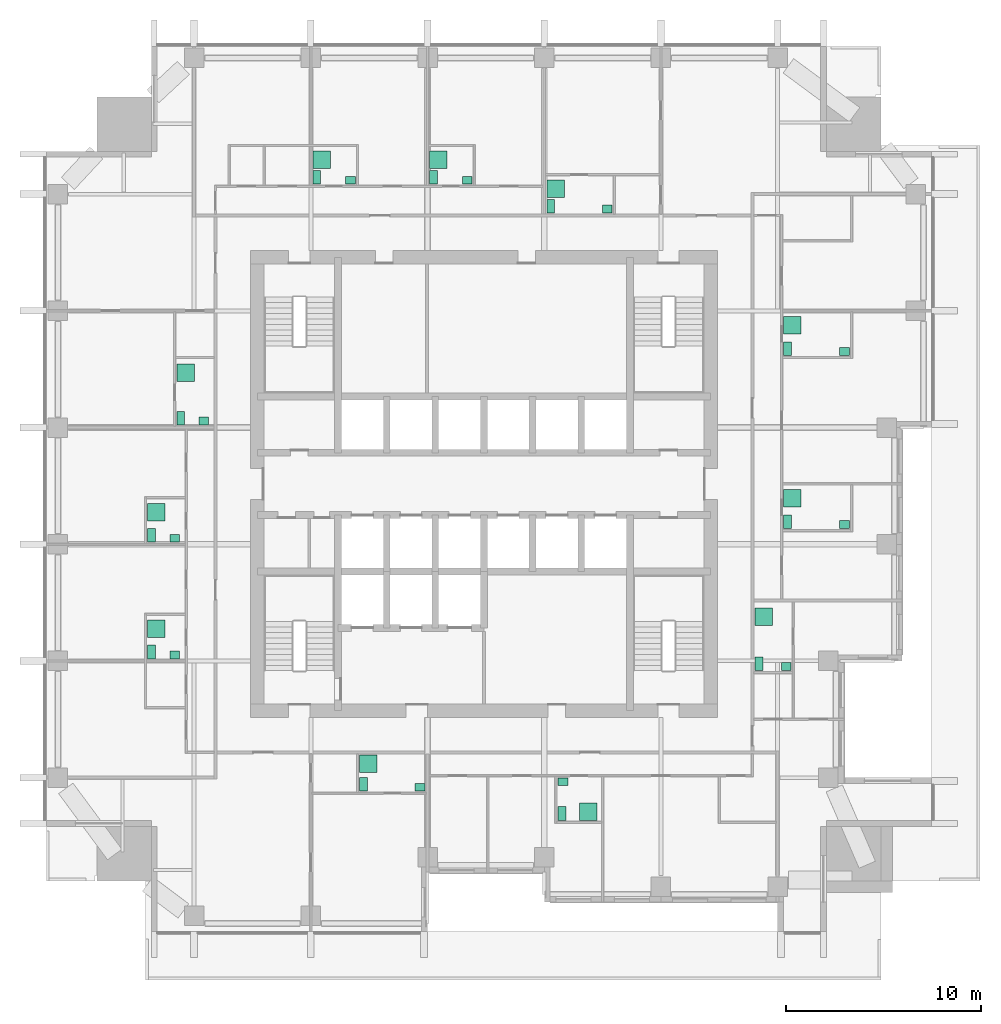
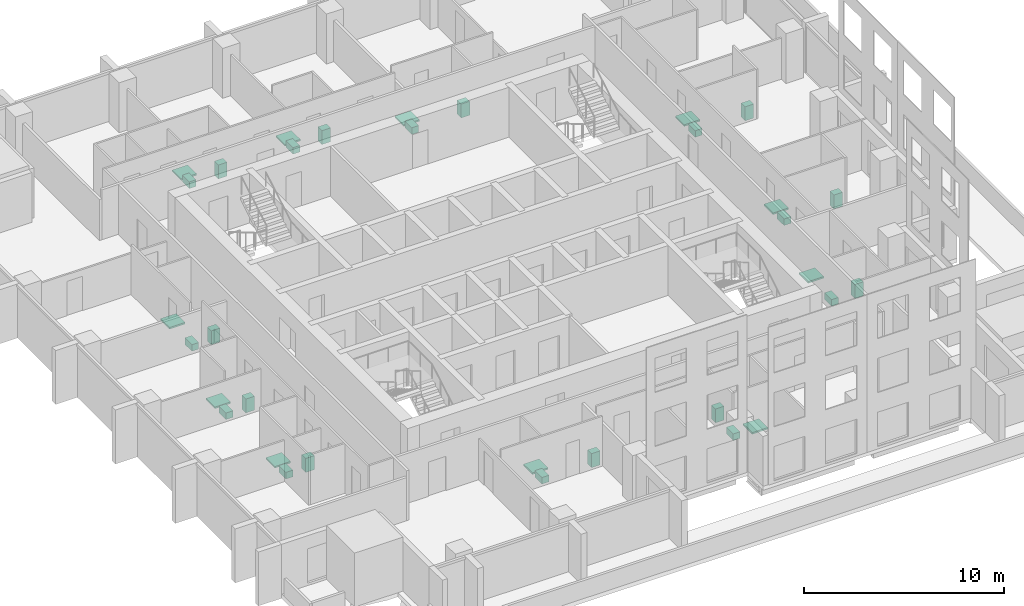
# One storey, part 14 of 14: 33 sanitary terminals.
"""IFC4 building model written with IfcOpenShell, lengths in metres."""

import ifcopenshell
import ifcopenshell.guid

model = None  # the IFC model being written
_history = None  # IfcOwnerHistory: only IFC2X3 demands one
_inside = {}  # id of a spatial element -> (the spatial element, [elements in it])
_under = {}  # id of a project, library or spatial element -> (it, [spatial elements below it])
_declared = {}  # id of a project -> (the project, [libraries it declares])
_typed = {}  # id of a type object -> (the type object, [elements of that type])
_made_of = {}  # id of a material, layer set ... -> (it, [elements and type objects made of it])


def new_model(schema):
    """Start an empty IFC model of exactly this schema.

    Asked for "IFC4X3", IfcOpenShell would pick the latest addendum, in which some entities
    have other attributes; the version numbers below select the first issue.
    IFC2X3 requires an IfcOwnerHistory on every rooted entity: one is made here for all.
    """
    global model, _history
    if schema == "IFC4X3":
        model = ifcopenshell.file(schema_version=(4, 3, 0, 0))
    else:
        model = ifcopenshell.file(schema=schema)
    _inside.clear()
    _under.clear()
    _declared.clear()
    _typed.clear()
    _made_of.clear()
    _history = None
    if model.schema == "IFC2X3":
        org = make("IfcOrganization", Name="unknown")
        user = make(
            "IfcPersonAndOrganization",
            ThePerson=make("IfcPerson", FamilyName="unknown"),
            TheOrganization=org,
        )
        app = make(
            "IfcApplication",
            ApplicationDeveloper=org,
            Version="unknown",
            ApplicationFullName="unknown",
            ApplicationIdentifier="unknown",
        )
        _history = make(
            "IfcOwnerHistory",
            OwningUser=user,
            OwningApplication=app,
            ChangeAction="ADDED",
            CreationDate=0,
        )
    return model


def make(cls, **values):
    """One entity of the class cls with the attributes given. An attribute that is None is left unset."""
    return model.create_entity(
        cls, **{name: value for name, value in values.items() if value is not None}
    )


def rooted(cls, **values):
    """An entity with a GlobalId (a new one), such as an element, a storey or a relation."""
    return make(cls, GlobalId=ifcopenshell.guid.new(), OwnerHistory=_history, **values)


def si_unit(unit_type, name, prefix=None):
    """IfcSIUnit, for example si_unit("LENGTHUNIT", "METRE", prefix="MILLI")."""
    return make("IfcSIUnit", UnitType=unit_type, Prefix=prefix, Name=name)


def assignment(units):
    """IfcUnitAssignment: the units of a project."""
    return None if units is None else make("IfcUnitAssignment", Units=units)


def point(xyz):
    """IfcCartesianPoint."""
    return None if xyz is None else make("IfcCartesianPoint", Coordinates=xyz)


def direction(xyz):
    """IfcDirection."""
    return None if xyz is None else make("IfcDirection", DirectionRatios=xyz)


def frame(location, z_axis=None, x_axis=None):
    """IfcAxis2Placement3D, a coordinate frame: its origin and axes. An axis left out is left unset."""
    return make(
        "IfcAxis2Placement3D",
        Location=point(location),
        Axis=direction(z_axis),
        RefDirection=direction(x_axis),
    )


def frame_2d(location, x_axis=None):
    """IfcAxis2Placement2D, a coordinate frame in the plane: its origin and x axis."""
    return make(
        "IfcAxis2Placement2D", Location=point(location), RefDirection=direction(x_axis)
    )


def origin():
    """The frame at (0, 0, 0) with its axes left unset."""
    return frame((0.0, 0.0, 0.0))


def origin_2d():
    """The frame at (0, 0) in the plane with its x axis left unset."""
    return frame_2d((0.0, 0.0))


def place(relative_to, where):
    """IfcLocalPlacement: puts the frame where relative to a parent placement (None: the world)."""
    return make(
        "IfcLocalPlacement", PlacementRelTo=relative_to, RelativePlacement=where
    )


def context(
    kind, dimensions, precision=None, world=None, true_north=None, identifier=None
):
    """IfcGeometricRepresentationContext, for example the 3D "Model" context."""
    return make(
        "IfcGeometricRepresentationContext",
        ContextIdentifier=identifier,
        ContextType=kind,
        CoordinateSpaceDimension=dimensions,
        Precision=precision,
        WorldCoordinateSystem=world,
        TrueNorth=true_north,
    )


def subcontext(parent, identifier, kind, view, scale=None):
    """IfcGeometricRepresentationSubContext, for example "Body" below "Model"."""
    return make(
        "IfcGeometricRepresentationSubContext",
        ContextIdentifier=identifier,
        ContextType=kind,
        ParentContext=parent,
        TargetScale=scale,
        TargetView=view,
    )


def project(units=None, contexts=None):
    """IfcProject with its units and contexts."""
    return rooted(
        "IfcProject",
        Name="project",
        RepresentationContexts=contexts,
        UnitsInContext=assignment(units),
    )


def spatial(cls, under=None, at=None, **own):
    """A site, building, storey or space (cls), placed at a placement, below another one or the project."""
    s = rooted(cls, ObjectPlacement=at, **own)
    if under is not None:
        _under.setdefault(under.id(), (under, []))[1].append(s)
    return s


def profile(cls, at=None, kind="AREA", **sizes):
    """A parametric profile (cls). Its sizes go by their IFC names, for example OverallWidth=200.0."""
    return make(cls, ProfileType=kind, Position=at, **sizes)


def rectangle(**sizes):
    """IfcRectangleProfileDef."""
    return profile("IfcRectangleProfileDef", **sizes)


def extrude(swept, where, along, depth):
    """IfcExtrudedAreaSolid: the profile swept, set in the frame where, extruded along a direction by depth."""
    return make(
        "IfcExtrudedAreaSolid",
        SweptArea=swept,
        Position=where,
        ExtrudedDirection=direction(along),
        Depth=depth,
    )


def shape(context_of_items, identifier, shape_type, items):
    """IfcShapeRepresentation: the items that make up one representation, for example the "Body"."""
    return make(
        "IfcShapeRepresentation",
        ContextOfItems=context_of_items,
        RepresentationIdentifier=identifier,
        RepresentationType=shape_type,
        Items=items,
    )


def made_of(thing, what):
    """Note that an element or type object is made of a material, layer set ...; save() writes the relation."""
    if what is not None:
        _made_of.setdefault(what.id(), (what, []))[1].append(thing)
    return thing


def element(
    cls,
    number,
    at=None,
    inside=None,
    cuts=None,
    type_object=None,
    material=None,
    context=None,
    identifier="Body",
    shape_type=None,
    held_by="IfcProductDefinitionShape",
    body=None,
    shapes=None,
    **own,
):
    """One element of the class cls, such as IfcWall. Its Tag is "e" and its number.

    at: its placement. inside: the storey or other place that contains it. cuts: it is an
    opening in that element (IfcRelVoidsElement). A single representation is given by context,
    identifier, shape_type and body (its items); several are given by shapes. held_by: the class
    of the entity that holds the representations. save() writes the other relations.
    """
    e = rooted(cls, Tag="e%d" % number, ObjectPlacement=at, **own)
    if body is not None:
        shapes = [shape(context, identifier, shape_type, body)]
    if shapes is not None:
        e.Representation = make(held_by, Representations=shapes)
    if inside is not None:
        _inside.setdefault(inside.id(), (inside, []))[1].append(e)
    if cuts is not None:
        rooted(
            "IfcRelVoidsElement", RelatingBuildingElement=cuts, RelatedOpeningElement=e
        )
    if type_object is not None:
        _typed.setdefault(type_object.id(), (type_object, []))[1].append(e)
    return made_of(e, material)


def aggregate(whole, parts):
    """IfcRelAggregates: a whole, such as a stair, and the parts it consists of."""
    return rooted("IfcRelAggregates", RelatingObject=whole, RelatedObjects=parts)


def save(model, path):
    """Write the relations noted so far, then the file.

    IfcRelAggregates (storeys below a building ...), IfcRelContainedInSpatialStructure (elements
    in a storey), IfcRelDefinesByType, IfcRelAssociatesMaterial and IfcRelDeclares: one each for
    every whole, place, type object, material and project.
    """
    for whole, parts in _under.values():
        aggregate(whole, parts)
    for where, things in _inside.values():
        rooted(
            "IfcRelContainedInSpatialStructure",
            RelatedElements=things,
            RelatingStructure=where,
        )
    for kind, things in _typed.values():
        rooted("IfcRelDefinesByType", RelatedObjects=things, RelatingType=kind)
    for what, things in _made_of.values():
        rooted("IfcRelAssociatesMaterial", RelatedObjects=things, RelatingMaterial=what)
    for by, libraries in _declared.values():
        rooted("IfcRelDeclares", RelatingContext=by, RelatedDefinitions=libraries)
    model.write(path)


model = new_model("IFC4")

# Units and contexts
model_context = context("Model", 3, precision=1e-05, world=origin(), true_north=direction((0.0, 1.0)))
body_context = subcontext(model_context, "Body", "Model", "MODEL_VIEW")
ifc_project = project(units=[si_unit("LENGTHUNIT", "METRE"), si_unit("AREAUNIT", "SQUARE_METRE"), si_unit("VOLUMEUNIT", "CUBIC_METRE"), si_unit("PLANEANGLEUNIT", "RADIAN"), si_unit("MASSUNIT", "GRAM", prefix="KILO")], contexts=[model_context])

# Site, building, storey
site_placement = place(None, origin())
site = spatial("IfcSite", under=ifc_project, at=site_placement, CompositionType="ELEMENT")
building_placement = place(site_placement, origin())
building = spatial("IfcBuilding", under=site, at=building_placement, Name="Amberfall Residences", CompositionType="ELEMENT")
storey_placement = place(building_placement, frame((0.0, 0.0, 133.89990234375)))
storey = spatial("IfcBuildingStorey", under=building, at=storey_placement, Name="L35", CompositionType="ELEMENT", Elevation=133.89990234375)

# Sanitary terminals
sanitary_terminal_1_placement = place(storey_placement, frame((68.31005859375, 30.06005859375, 0.000244140625), z_axis=(0.0, 0.0, 1.0), x_axis=(1.0, 0.0, 0.0)))
element("IfcSanitaryTerminal", 1, at=sanitary_terminal_1_placement, inside=storey, Name="Water closet 3501", PredefinedType="TOILETPAN", context=body_context, shape_type="SweptSolid", body=[
    extrude(rectangle(XDim=0.39990234375, YDim=0.699951171875, at=origin_2d()), origin(), (0.0, 0.0, 1.0), 0.39990234375),
])
sanitary_terminal_2_placement = place(storey_placement, frame((71.215087890625, 29.909912109375, 0.0), z_axis=(0.0, 0.0, 1.0), x_axis=(1.0, 0.0, 0.0)))
element("IfcSanitaryTerminal", 2, at=sanitary_terminal_2_placement, inside=storey, Name="Basin 3501", PredefinedType="WASHHANDBASIN", context=body_context, shape_type="SweptSolid", body=[
    extrude(rectangle(XDim=0.5, YDim=0.39990234375, at=origin_2d()), origin(), (0.0, 0.0, 1.0), 0.85009765625),
])
sanitary_terminal_3_placement = place(storey_placement, frame((68.56005859375, 31.114990234375, 0.0), z_axis=(0.0, 0.0, 1.0), x_axis=(1.0, 0.0, 0.0)))
element("IfcSanitaryTerminal", 3, at=sanitary_terminal_3_placement, inside=storey, Name="Shower tray 3501", PredefinedType="SHOWER", context=body_context, shape_type="SweptSolid", body=[
    extrude(rectangle(XDim=0.89990234375, YDim=0.89990234375, at=origin_2d()), origin(), (0.0, 0.0, 1.0), 0.10009765625),
])
sanitary_terminal_4_placement = place(storey_placement, frame((78.510009765625, 28.56005859375, 0.000244140625), z_axis=(0.0, 0.0, 1.0), x_axis=(1.0, 0.0, 0.0)))
element("IfcSanitaryTerminal", 4, at=sanitary_terminal_4_placement, inside=storey, Name="Water closet 3502", PredefinedType="TOILETPAN", context=body_context, shape_type="SweptSolid", body=[
    extrude(rectangle(XDim=0.39990234375, YDim=0.699951171875, at=origin_2d()), origin(), (0.0, 0.0, 1.0), 0.39990234375),
])
sanitary_terminal_5_placement = place(storey_placement, frame((78.56005859375, 30.18994140625, 0.0), z_axis=(0.0, 0.0, 1.0), x_axis=(1.0, 0.0, 0.0)))
element("IfcSanitaryTerminal", 5, at=sanitary_terminal_5_placement, inside=storey, Name="Basin 3502", PredefinedType="WASHHANDBASIN", context=body_context, shape_type="SweptSolid", body=[
    extrude(rectangle(XDim=0.5, YDim=0.39990234375, at=origin_2d()), origin(), (0.0, 0.0, 1.0), 0.85009765625),
])
sanitary_terminal_6_placement = place(storey_placement, frame((79.857177734375, 28.659912109375, 0.0), z_axis=(0.0, 0.0, 1.0), x_axis=(1.0, 0.0, 0.0)))
element("IfcSanitaryTerminal", 6, at=sanitary_terminal_6_placement, inside=storey, Name="Shower tray 3502", PredefinedType="SHOWER", context=body_context, shape_type="SweptSolid", body=[
    extrude(rectangle(XDim=0.89990234375, YDim=0.89990234375, at=origin_2d()), origin(), (0.0, 0.0, 1.0), 0.10009765625),
])
sanitary_terminal_7_placement = place(storey_placement, frame((88.635009765625, 36.260009765625, 0.000244140625), z_axis=(0.0, 0.0, 1.0), x_axis=(1.0, 0.0, 0.0)))
element("IfcSanitaryTerminal", 7, at=sanitary_terminal_7_placement, inside=storey, Name="Water closet 3503", PredefinedType="TOILETPAN", context=body_context, shape_type="SweptSolid", body=[
    extrude(rectangle(XDim=0.39990234375, YDim=0.699951171875, at=origin_2d()), origin(), (0.0, 0.0, 1.0), 0.39990234375),
])
sanitary_terminal_8_placement = place(storey_placement, frame((90.0400390625, 36.110107421875, 0.0), z_axis=(0.0, 0.0, 1.0), x_axis=(1.0, 0.0, 0.0)))
element("IfcSanitaryTerminal", 8, at=sanitary_terminal_8_placement, inside=storey, Name="Basin 3503", PredefinedType="WASHHANDBASIN", context=body_context, shape_type="SweptSolid", body=[
    extrude(rectangle(XDim=0.5, YDim=0.39990234375, at=origin_2d()), origin(), (0.0, 0.0, 1.0), 0.85009765625),
])
sanitary_terminal_9_placement = place(storey_placement, frame((88.885009765625, 38.6826171875, 0.0), z_axis=(0.0, 0.0, 1.0), x_axis=(1.0, 0.0, 0.0)))
element("IfcSanitaryTerminal", 9, at=sanitary_terminal_9_placement, inside=storey, Name="Shower tray 3503", PredefinedType="SHOWER", context=body_context, shape_type="SweptSolid", body=[
    extrude(rectangle(XDim=0.89990234375, YDim=0.89990234375, at=origin_2d()), origin(), (0.0, 0.0, 1.0), 0.10009765625),
])
sanitary_terminal_10_placement = place(storey_placement, frame((90.110107421875, 43.56005859375, 0.000244140625), z_axis=(0.0, 0.0, 1.0), x_axis=(1.0, 0.0, 0.0)))
element("IfcSanitaryTerminal", 10, at=sanitary_terminal_10_placement, inside=storey, Name="Water closet 3504", PredefinedType="TOILETPAN", context=body_context, shape_type="SweptSolid", body=[
    extrude(rectangle(XDim=0.39990234375, YDim=0.699951171875, at=origin_2d()), origin(), (0.0, 0.0, 1.0), 0.39990234375),
])
sanitary_terminal_11_placement = place(storey_placement, frame((93.0400390625, 43.409912109375, 0.0), z_axis=(0.0, 0.0, 1.0), x_axis=(1.0, 0.0, 0.0)))
element("IfcSanitaryTerminal", 11, at=sanitary_terminal_11_placement, inside=storey, Name="Basin 3504", PredefinedType="WASHHANDBASIN", context=body_context, shape_type="SweptSolid", body=[
    extrude(rectangle(XDim=0.5, YDim=0.39990234375, at=origin_2d()), origin(), (0.0, 0.0, 1.0), 0.85009765625),
])
sanitary_terminal_12_placement = place(storey_placement, frame((90.360107421875, 44.757080078125, 0.0), z_axis=(0.0, 0.0, 1.0), x_axis=(1.0, 0.0, 0.0)))
element("IfcSanitaryTerminal", 12, at=sanitary_terminal_12_placement, inside=storey, Name="Shower tray 3504", PredefinedType="SHOWER", context=body_context, shape_type="SweptSolid", body=[
    extrude(rectangle(XDim=0.89990234375, YDim=0.89990234375, at=origin_2d()), origin(), (0.0, 0.0, 1.0), 0.10009765625),
])
sanitary_terminal_13_placement = place(storey_placement, frame((90.110107421875, 52.4599609375, 0.000244140625), z_axis=(0.0, 0.0, 1.0), x_axis=(1.0, 0.0, 0.0)))
element("IfcSanitaryTerminal", 13, at=sanitary_terminal_13_placement, inside=storey, Name="Water closet 3504", PredefinedType="TOILETPAN", context=body_context, shape_type="SweptSolid", body=[
    extrude(rectangle(XDim=0.39990234375, YDim=0.699951171875, at=origin_2d()), origin(), (0.0, 0.0, 1.0), 0.39990234375),
])
sanitary_terminal_14_placement = place(storey_placement, frame((93.0400390625, 52.31005859375, 0.0), z_axis=(0.0, 0.0, 1.0), x_axis=(1.0, 0.0, 0.0)))
element("IfcSanitaryTerminal", 14, at=sanitary_terminal_14_placement, inside=storey, Name="Basin 3504", PredefinedType="WASHHANDBASIN", context=body_context, shape_type="SweptSolid", body=[
    extrude(rectangle(XDim=0.5, YDim=0.39990234375, at=origin_2d()), origin(), (0.0, 0.0, 1.0), 0.85009765625),
])
sanitary_terminal_15_placement = place(storey_placement, frame((90.360107421875, 53.6572265625, 0.0), z_axis=(0.0, 0.0, 1.0), x_axis=(1.0, 0.0, 0.0)))
element("IfcSanitaryTerminal", 15, at=sanitary_terminal_15_placement, inside=storey, Name="Shower tray 3504", PredefinedType="SHOWER", context=body_context, shape_type="SweptSolid", body=[
    extrude(rectangle(XDim=0.89990234375, YDim=0.89990234375, at=origin_2d()), origin(), (0.0, 0.0, 1.0), 0.10009765625),
])
sanitary_terminal_16_placement = place(storey_placement, frame((65.909912109375, 61.260009765625, 0.000244140625), z_axis=(0.0, 0.0, 1.0), x_axis=(1.0, 0.0, 0.0)))
element("IfcSanitaryTerminal", 16, at=sanitary_terminal_16_placement, inside=storey, Name="Water closet 3505", PredefinedType="TOILETPAN", context=body_context, shape_type="SweptSolid", body=[
    extrude(rectangle(XDim=0.39990234375, YDim=0.699951171875, at=origin_2d()), origin(), (0.0, 0.0, 1.0), 0.39990234375),
])
sanitary_terminal_17_placement = place(storey_placement, frame((67.639892578125, 61.110107421875, 0.0), z_axis=(0.0, 0.0, 1.0), x_axis=(1.0, 0.0, 0.0)))
element("IfcSanitaryTerminal", 17, at=sanitary_terminal_17_placement, inside=storey, Name="Basin 3505", PredefinedType="WASHHANDBASIN", context=body_context, shape_type="SweptSolid", body=[
    extrude(rectangle(XDim=0.5, YDim=0.39990234375, at=origin_2d()), origin(), (0.0, 0.0, 1.0), 0.85009765625),
])
sanitary_terminal_18_placement = place(storey_placement, frame((66.159912109375, 62.1767578125, 0.0), z_axis=(0.0, 0.0, 1.0), x_axis=(1.0, 0.0, 0.0)))
element("IfcSanitaryTerminal", 18, at=sanitary_terminal_18_placement, inside=storey, Name="Shower tray 3505", PredefinedType="SHOWER", context=body_context, shape_type="SweptSolid", body=[
    extrude(rectangle(XDim=0.89990234375, YDim=0.89990234375, at=origin_2d()), origin(), (0.0, 0.0, 1.0), 0.10009765625),
])
sanitary_terminal_19_placement = place(storey_placement, frame((71.909912109375, 61.260009765625, 0.000244140625), z_axis=(0.0, 0.0, 1.0), x_axis=(1.0, 0.0, 0.0)))
element("IfcSanitaryTerminal", 19, at=sanitary_terminal_19_placement, inside=storey, Name="Water closet 3505", PredefinedType="TOILETPAN", context=body_context, shape_type="SweptSolid", body=[
    extrude(rectangle(XDim=0.39990234375, YDim=0.699951171875, at=origin_2d()), origin(), (0.0, 0.0, 1.0), 0.39990234375),
])
sanitary_terminal_20_placement = place(storey_placement, frame((73.639892578125, 61.110107421875, 0.0), z_axis=(0.0, 0.0, 1.0), x_axis=(1.0, 0.0, 0.0)))
element("IfcSanitaryTerminal", 20, at=sanitary_terminal_20_placement, inside=storey, Name="Basin 3505", PredefinedType="WASHHANDBASIN", context=body_context, shape_type="SweptSolid", body=[
    extrude(rectangle(XDim=0.5, YDim=0.39990234375, at=origin_2d()), origin(), (0.0, 0.0, 1.0), 0.85009765625),
])
sanitary_terminal_21_placement = place(storey_placement, frame((72.159912109375, 62.1767578125, 0.0), z_axis=(0.0, 0.0, 1.0), x_axis=(1.0, 0.0, 0.0)))
element("IfcSanitaryTerminal", 21, at=sanitary_terminal_21_placement, inside=storey, Name="Shower tray 3505", PredefinedType="SHOWER", context=body_context, shape_type="SweptSolid", body=[
    extrude(rectangle(XDim=0.89990234375, YDim=0.89990234375, at=origin_2d()), origin(), (0.0, 0.0, 1.0), 0.10009765625),
])
sanitary_terminal_22_placement = place(storey_placement, frame((77.93505859375, 59.784912109375, 0.000244140625), z_axis=(0.0, 0.0, 1.0), x_axis=(1.0, 0.0, 0.0)))
element("IfcSanitaryTerminal", 22, at=sanitary_terminal_22_placement, inside=storey, Name="Water closet 3506", PredefinedType="TOILETPAN", context=body_context, shape_type="SweptSolid", body=[
    extrude(rectangle(XDim=0.39990234375, YDim=0.699951171875, at=origin_2d()), origin(), (0.0, 0.0, 1.0), 0.39990234375),
])
sanitary_terminal_23_placement = place(storey_placement, frame((80.840087890625, 59.635009765625, 0.0), z_axis=(0.0, 0.0, 1.0), x_axis=(1.0, 0.0, 0.0)))
element("IfcSanitaryTerminal", 23, at=sanitary_terminal_23_placement, inside=storey, Name="Basin 3506", PredefinedType="WASHHANDBASIN", context=body_context, shape_type="SweptSolid", body=[
    extrude(rectangle(XDim=0.5, YDim=0.39990234375, at=origin_2d()), origin(), (0.0, 0.0, 1.0), 0.85009765625),
])
sanitary_terminal_24_placement = place(storey_placement, frame((78.18505859375, 60.680908203125, 0.0), z_axis=(0.0, 0.0, 1.0), x_axis=(1.0, 0.0, 0.0)))
element("IfcSanitaryTerminal", 24, at=sanitary_terminal_24_placement, inside=storey, Name="Shower tray 3506", PredefinedType="SHOWER", context=body_context, shape_type="SweptSolid", body=[
    extrude(rectangle(XDim=0.89990234375, YDim=0.89990234375, at=origin_2d()), origin(), (0.0, 0.0, 1.0), 0.10009765625),
])
sanitary_terminal_25_placement = place(storey_placement, frame((57.409912109375, 36.860107421875, 0.000244140625), z_axis=(0.0, 0.0, 1.0), x_axis=(1.0, 0.0, 0.0)))
element("IfcSanitaryTerminal", 25, at=sanitary_terminal_25_placement, inside=storey, Name="Water closet 3507", PredefinedType="TOILETPAN", context=body_context, shape_type="SweptSolid", body=[
    extrude(rectangle(XDim=0.39990234375, YDim=0.699951171875, at=origin_2d()), origin(), (0.0, 0.0, 1.0), 0.39990234375),
])
sanitary_terminal_26_placement = place(storey_placement, frame((58.610107421875, 36.7099609375, 0.0), z_axis=(0.0, 0.0, 1.0), x_axis=(1.0, 0.0, 0.0)))
element("IfcSanitaryTerminal", 26, at=sanitary_terminal_26_placement, inside=storey, Name="Basin 3507", PredefinedType="WASHHANDBASIN", context=body_context, shape_type="SweptSolid", body=[
    extrude(rectangle(XDim=0.5, YDim=0.39990234375, at=origin_2d()), origin(), (0.0, 0.0, 1.0), 0.85009765625),
])
sanitary_terminal_27_placement = place(storey_placement, frame((57.659912109375, 38.05712890625, 0.0), z_axis=(0.0, 0.0, 1.0), x_axis=(1.0, 0.0, 0.0)))
element("IfcSanitaryTerminal", 27, at=sanitary_terminal_27_placement, inside=storey, Name="Shower tray 3507", PredefinedType="SHOWER", context=body_context, shape_type="SweptSolid", body=[
    extrude(rectangle(XDim=0.89990234375, YDim=0.89990234375, at=origin_2d()), origin(), (0.0, 0.0, 1.0), 0.10009765625),
])
sanitary_terminal_28_placement = place(storey_placement, frame((57.409912109375, 42.860107421875, 0.000244140625), z_axis=(0.0, 0.0, 1.0), x_axis=(1.0, 0.0, 0.0)))
element("IfcSanitaryTerminal", 28, at=sanitary_terminal_28_placement, inside=storey, Name="Water closet 3507", PredefinedType="TOILETPAN", context=body_context, shape_type="SweptSolid", body=[
    extrude(rectangle(XDim=0.39990234375, YDim=0.699951171875, at=origin_2d()), origin(), (0.0, 0.0, 1.0), 0.39990234375),
])
sanitary_terminal_29_placement = place(storey_placement, frame((58.610107421875, 42.7099609375, 0.0), z_axis=(0.0, 0.0, 1.0), x_axis=(1.0, 0.0, 0.0)))
element("IfcSanitaryTerminal", 29, at=sanitary_terminal_29_placement, inside=storey, Name="Basin 3507", PredefinedType="WASHHANDBASIN", context=body_context, shape_type="SweptSolid", body=[
    extrude(rectangle(XDim=0.5, YDim=0.39990234375, at=origin_2d()), origin(), (0.0, 0.0, 1.0), 0.85009765625),
])
sanitary_terminal_30_placement = place(storey_placement, frame((57.659912109375, 44.05712890625, 0.0), z_axis=(0.0, 0.0, 1.0), x_axis=(1.0, 0.0, 0.0)))
element("IfcSanitaryTerminal", 30, at=sanitary_terminal_30_placement, inside=storey, Name="Shower tray 3507", PredefinedType="SHOWER", context=body_context, shape_type="SweptSolid", body=[
    extrude(rectangle(XDim=0.89990234375, YDim=0.89990234375, at=origin_2d()), origin(), (0.0, 0.0, 1.0), 0.10009765625),
])
sanitary_terminal_31_placement = place(storey_placement, frame((58.909912109375, 48.885009765625, 0.000244140625), z_axis=(0.0, 0.0, 1.0), x_axis=(1.0, 0.0, 0.0)))
element("IfcSanitaryTerminal", 31, at=sanitary_terminal_31_placement, inside=storey, Name="Water closet 3508", PredefinedType="TOILETPAN", context=body_context, shape_type="SweptSolid", body=[
    extrude(rectangle(XDim=0.39990234375, YDim=0.699951171875, at=origin_2d()), origin(), (0.0, 0.0, 1.0), 0.39990234375),
])
sanitary_terminal_32_placement = place(storey_placement, frame((60.089111328125, 48.735107421875, 0.0), z_axis=(0.0, 0.0, 1.0), x_axis=(1.0, 0.0, 0.0)))
element("IfcSanitaryTerminal", 32, at=sanitary_terminal_32_placement, inside=storey, Name="Basin 3508", PredefinedType="WASHHANDBASIN", context=body_context, shape_type="SweptSolid", body=[
    extrude(rectangle(XDim=0.5, YDim=0.39990234375, at=origin_2d()), origin(), (0.0, 0.0, 1.0), 0.85009765625),
])
sanitary_terminal_33_placement = place(storey_placement, frame((59.159912109375, 51.216796875, 0.0), z_axis=(0.0, 0.0, 1.0), x_axis=(1.0, 0.0, 0.0)))
element("IfcSanitaryTerminal", 33, at=sanitary_terminal_33_placement, inside=storey, Name="Shower tray 3508", PredefinedType="SHOWER", context=body_context, shape_type="SweptSolid", body=[
    extrude(rectangle(XDim=0.89990234375, YDim=0.89990234375, at=origin_2d()), origin(), (0.0, 0.0, 1.0), 0.10009765625),
])

save(model, "model.ifc")
